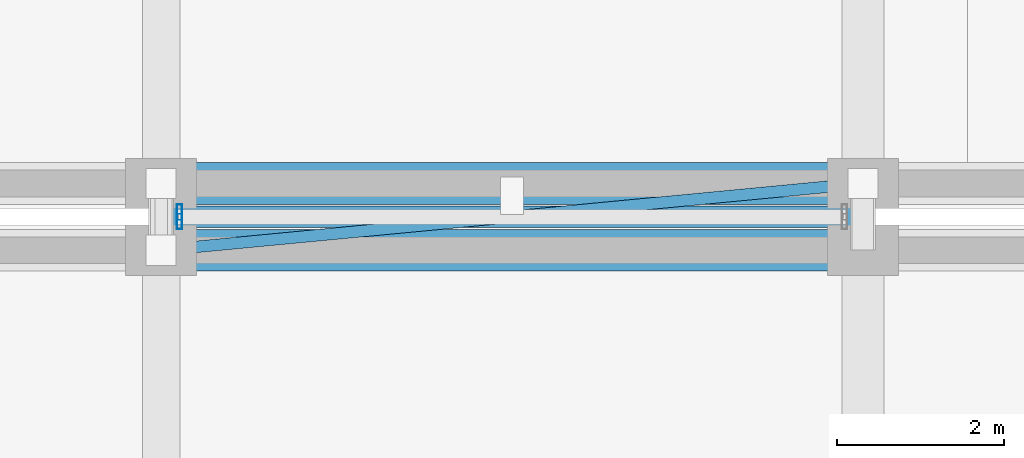
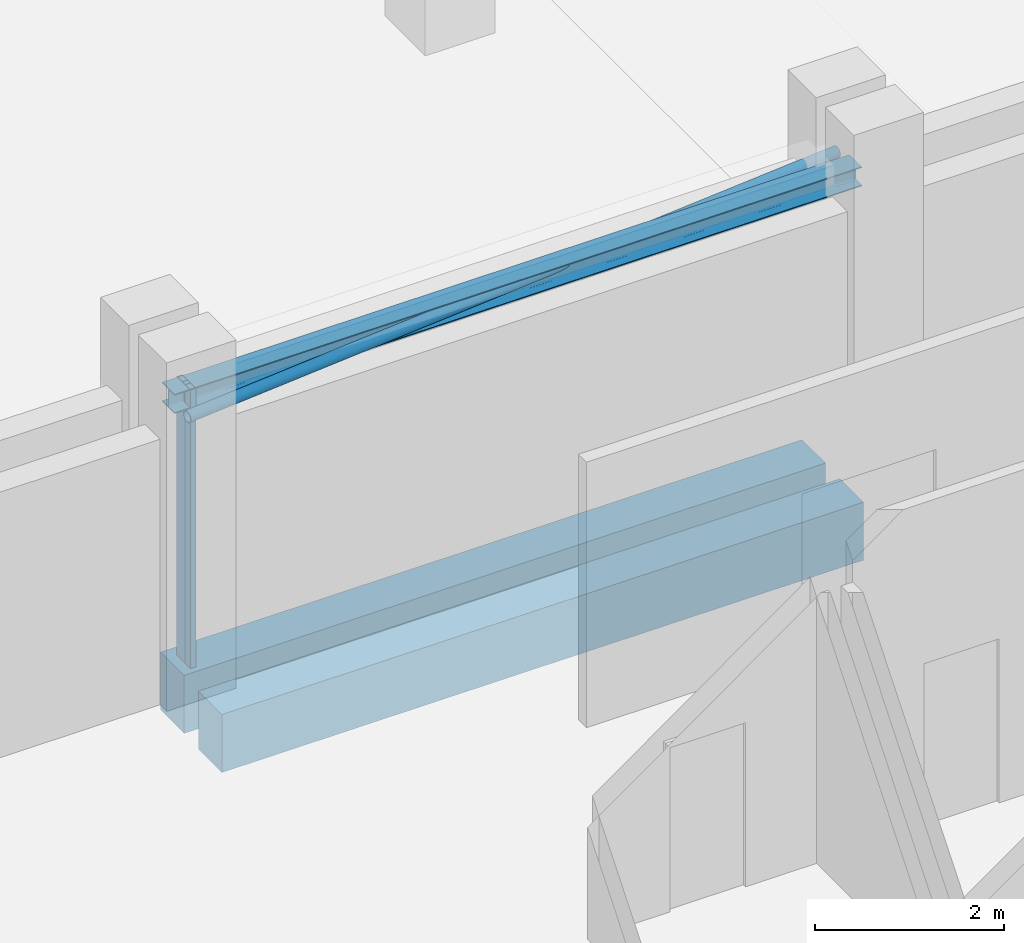
# One storey, part 25 of 137: 3 beams, 3 members, 1 element without a shape of its own.
"""IFC4 building model written with IfcOpenShell, lengths in metres."""

from ifc_helpers import new_model, si_unit, direction, frame, origin, origin_2d, place, context, subcontext, project, spatial, rectangle, hollow_rectangle, hollow_circle, i_section, extrude, material, layer, layer_set, material_profile, profile_set, type_object, element, aggregate, save


model = new_model("IFC4")

# Units and contexts
model_context = context("Model", 3, precision=1e-05, world=origin(), true_north=direction((0.0, 1.0)))
body_context = subcontext(model_context, "Body", "Model", "MODEL_VIEW")
ifc_project = project(units=[si_unit("LENGTHUNIT", "METRE"), si_unit("AREAUNIT", "SQUARE_METRE"), si_unit("VOLUMEUNIT", "CUBIC_METRE"), si_unit("PLANEANGLEUNIT", "RADIAN"), si_unit("MASSUNIT", "GRAM", prefix="KILO")], contexts=[model_context])

# Site, building, storey
site_placement = place(None, origin())
site = spatial("IfcSite", under=ifc_project, at=site_placement, CompositionType="ELEMENT")
building_placement = place(site_placement, origin())
building = spatial("IfcBuilding", under=site, at=building_placement, Name="Xazarin Passage Department Store", CompositionType="ELEMENT")
storey_placement = place(building_placement, frame((0.0, 0.0, 5.39990234375)))
storey = spatial("IfcBuildingStorey", under=building, at=storey_placement, Name="L01", CompositionType="ELEMENT", Elevation=5.39990234375)

# Curtain wall, members
ifc_material_1 = material(Name="Bronze anodised aluminium", Category="aluminium")
ifc_layer = layer(ifc_material_1, 0.14990234375)
ifc_layer_set = layer_set([ifc_layer], Name="Bronze anodised aluminium")
curtain_wall_type = type_object("IfcCurtainWallType", Name="ARC-CW-BRG1", PredefinedType="NOTDEFINED", material=ifc_layer_set)
curtain_wall_placement = place(storey_placement, origin())
curtain_wall = element("IfcCurtainWall", 1, at=curtain_wall_placement, inside=storey, type_object=curtain_wall_type, Name="L01 BR-V1-V3 Bridge Curtain Wall 1", PredefinedType="NOTDEFINED")
ifc_material_profile_1 = material_profile(ifc_material_1, hollow_rectangle(XDim=0.06494140625, YDim=0.179931640625, WallThickness=0.00390625, at=origin_2d()), Name="ALU 65x180")
ifc_profile_set_1 = profile_set([ifc_material_profile_1], Name="Bronze anodised aluminium")
member_type_1 = type_object("IfcMemberType", Name="ARC-CWM-65x180", PredefinedType="MULLION", material=ifc_profile_set_1)
member_1_placement = place(storey_placement, frame((25.419921875, 50.742431640625, 0.0), z_axis=(0.0, 0.0, 1.0), x_axis=(-1.0, 0.0, 0.0)))
member_1 = element("IfcMember", 2, at=member_1_placement, type_object=member_type_1, Name="CW7 mullion 1", PredefinedType="MULLION", context=body_context, shape_type="SweptSolid", body=[
    extrude(hollow_rectangle(XDim=0.06494140625, YDim=0.179931640625, WallThickness=0.00390625, at=origin_2d()), origin(), (0.0, 0.0, 1.0), 3.60009765625),
])
member_2_placement = place(storey_placement, frame((25.419921875, 50.857421875, 0.0), z_axis=(0.0, 0.0, 1.0), x_axis=(-1.0, 0.0, 0.0)))
member_2 = element("IfcMember", 3, at=member_2_placement, type_object=member_type_1, Name="CW7 mullion 2", PredefinedType="MULLION", context=body_context, shape_type="SweptSolid", body=[
    extrude(hollow_rectangle(XDim=0.06494140625, YDim=0.179931640625, WallThickness=0.00390625, at=origin_2d()), origin(), (0.0, 0.0, 1.0), 3.60009765625),
])
aggregate(curtain_wall, [member_1, member_2])

# Beams
ifc_material_2 = material(Name="Steel S355", Category="steel")
ifc_material_profile_2 = material_profile(ifc_material_2, i_section(OverallWidth=0.260009765625, OverallDepth=0.25, WebThickness=0.007568359375, FlangeThickness=0.012451171875, FilletRadius=0.02392578125, at=origin_2d()), Name="HEA 260")
ifc_profile_set_2 = profile_set([ifc_material_profile_2], Name="Steel S355")
beam_type_1 = type_object("IfcBeamType", Name="STR-BM-CAN260", PredefinedType="BEAM", material=ifc_profile_set_2)
beam_placement = place(storey_placement, frame((25.199951171875, 50.800048828125, 3.47509765625), z_axis=(1.0, 0.0, 0.0), x_axis=(0.0, 1.0, 0.0)))
element("IfcBeam", 4, at=beam_placement, inside=storey, type_object=beam_type_1, Name="L01 BR-V1-V3 Bridge Roof Mid Beam", PredefinedType="BEAM", context=body_context, shape_type="SweptSolid", body=[
    extrude(i_section(OverallWidth=0.260009765625, OverallDepth=0.25, WebThickness=0.007568359375, FlangeThickness=0.012451171875, FilletRadius=0.02392578125, at=origin_2d()), origin(), (0.0, 0.0, 1.0), 8.400146484375),
])
ifc_material_3 = material(Name="Concrete C35/45", Category="concrete")
ifc_material_profile_3 = material_profile(ifc_material_3, rectangle(XDim=0.5, YDim=0.75, at=origin_2d()), Name="RC 500x750")
ifc_profile_set_3 = profile_set([ifc_material_profile_3], Name="Concrete C35/45")
beam_type_2 = type_object("IfcBeamType", Name="STR-BM-SP500x750", PredefinedType="SPANDREL", material=ifc_profile_set_3)
for number, where, z_axis, x_axis, name in (
    (5, (25.47998046875, 51.199951171875, -0.6748046875), (1.0, 0.0, 0.0), (0.0, 1.0, 0.0), "L01 Grid Beam H/4-5"),
    (6, (25.47998046875, 50.39990234375, -0.69482421875), (1.0, 0.0, 0.0), (0.0, 1.0, 0.0), "L01 Grid Beam G/4-5"),
):
    element("IfcBeam", number, at=place(storey_placement, frame(where, z_axis=z_axis, x_axis=x_axis)), inside=storey, type_object=beam_type_2, Name=name, PredefinedType="SPANDREL", context=body_context, shape_type="SweptSolid", body=[
        extrude(rectangle(XDim=0.5, YDim=0.75, at=origin_2d()), origin(), (0.0, 0.0, 1.0), 7.840087890625),
    ])

# Member
ifc_material_profile_4 = material_profile(ifc_material_2, hollow_circle(Radius=0.06982421875, WallThickness=0.008056640625, at=origin_2d()), Name="CHS 139.7x8")
ifc_profile_set_4 = profile_set([ifc_material_profile_4], Name="Steel S355")
member_type_2 = type_object("IfcMemberType", Name="STR-MEM-BR140", PredefinedType="BRACE", material=ifc_profile_set_4)
member_3_placement = place(storey_placement, frame((25.199951171875, 50.39990234375, 3.47509765625), z_axis=(0.995495082479, 0.094813188749, 0.0), x_axis=(-0.094813188749, 0.995495082479, 0.0)))
element("IfcMember", 7, at=member_3_placement, inside=storey, type_object=member_type_2, Name="L01 BR-V1-V3 Bridge Roof Wind Diagonal", PredefinedType="BRACE", context=body_context, shape_type="SweptSolid", body=[
    extrude(hollow_circle(Radius=0.06982421875, WallThickness=0.008056640625, at=origin_2d()), origin(), (0.0, 0.0, 1.0), 8.438232421875),
])

save(model, "model.ifc")
